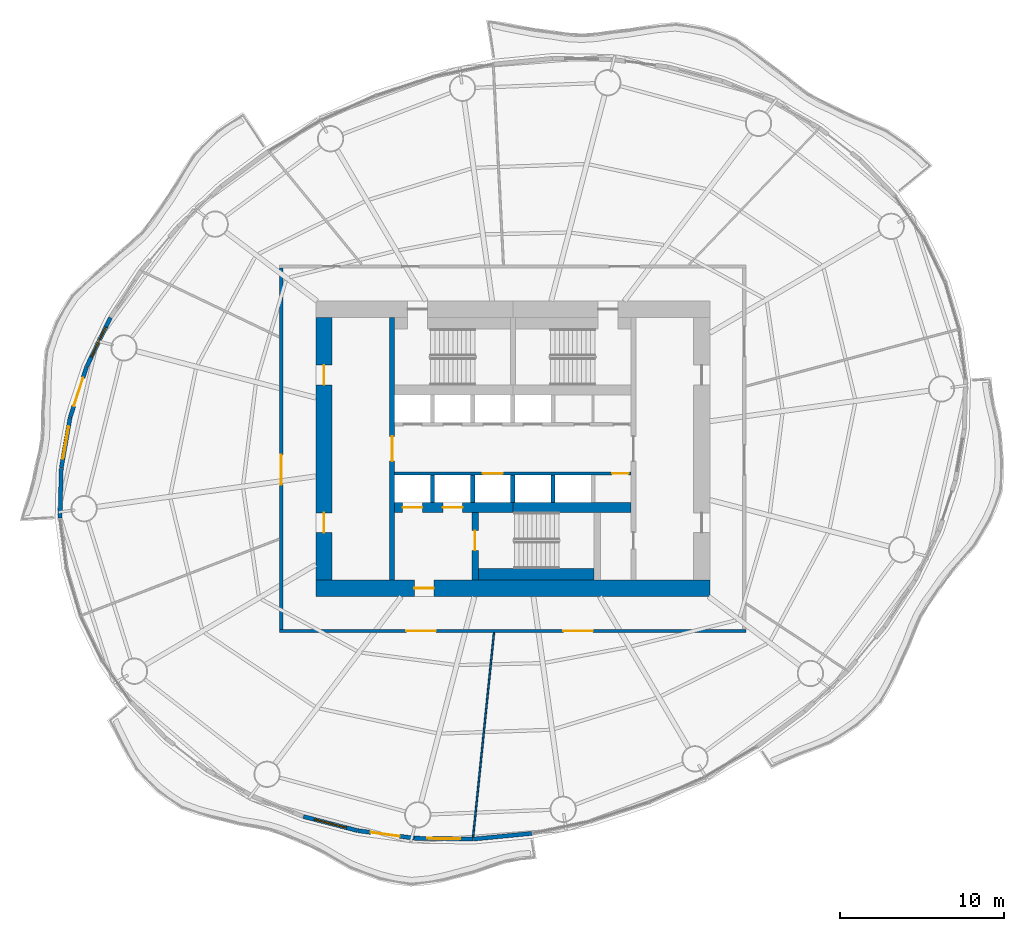
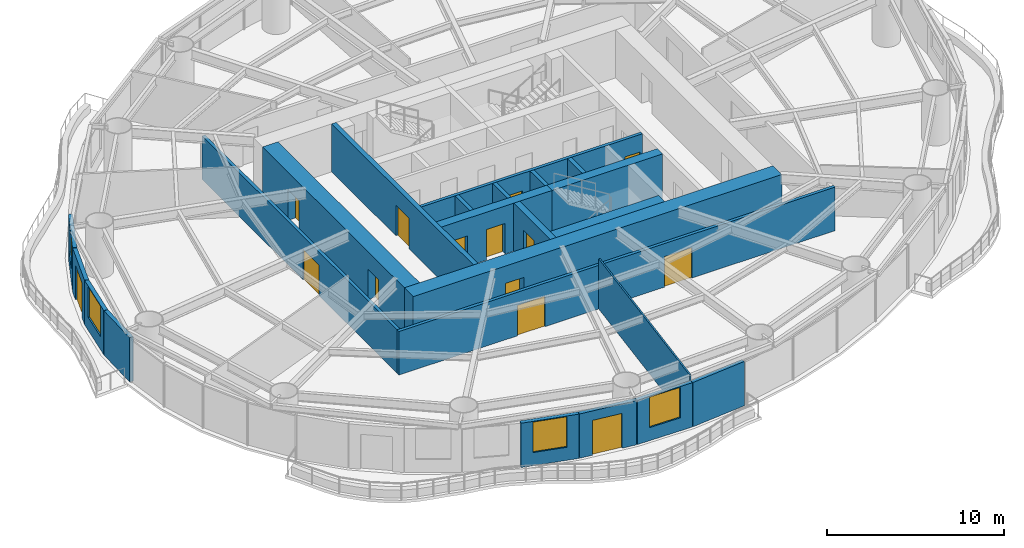
# One storey, part 8 of 14: 23 walls, 14 doors, 4 windows, 18 openings.
"""IFC4 building model written with IfcOpenShell, lengths in metres."""

import ifcopenshell
import ifcopenshell.guid

model = None  # the IFC model being written
_history = None  # IfcOwnerHistory: only IFC2X3 demands one
_inside = {}  # id of a spatial element -> (the spatial element, [elements in it])
_under = {}  # id of a project, library or spatial element -> (it, [spatial elements below it])
_declared = {}  # id of a project -> (the project, [libraries it declares])
_typed = {}  # id of a type object -> (the type object, [elements of that type])
_made_of = {}  # id of a material, layer set ... -> (it, [elements and type objects made of it])


def new_model(schema):
    """Start an empty IFC model of exactly this schema.

    Asked for "IFC4X3", IfcOpenShell would pick the latest addendum, in which some entities
    have other attributes; the version numbers below select the first issue.
    IFC2X3 requires an IfcOwnerHistory on every rooted entity: one is made here for all.
    """
    global model, _history
    if schema == "IFC4X3":
        model = ifcopenshell.file(schema_version=(4, 3, 0, 0))
    else:
        model = ifcopenshell.file(schema=schema)
    _inside.clear()
    _under.clear()
    _declared.clear()
    _typed.clear()
    _made_of.clear()
    _history = None
    if model.schema == "IFC2X3":
        org = make("IfcOrganization", Name="unknown")
        user = make(
            "IfcPersonAndOrganization",
            ThePerson=make("IfcPerson", FamilyName="unknown"),
            TheOrganization=org,
        )
        app = make(
            "IfcApplication",
            ApplicationDeveloper=org,
            Version="unknown",
            ApplicationFullName="unknown",
            ApplicationIdentifier="unknown",
        )
        _history = make(
            "IfcOwnerHistory",
            OwningUser=user,
            OwningApplication=app,
            ChangeAction="ADDED",
            CreationDate=0,
        )
    return model


def make(cls, **values):
    """One entity of the class cls with the attributes given. An attribute that is None is left unset."""
    return model.create_entity(
        cls, **{name: value for name, value in values.items() if value is not None}
    )


def rooted(cls, **values):
    """An entity with a GlobalId (a new one), such as an element, a storey or a relation."""
    return make(cls, GlobalId=ifcopenshell.guid.new(), OwnerHistory=_history, **values)


def si_unit(unit_type, name, prefix=None):
    """IfcSIUnit, for example si_unit("LENGTHUNIT", "METRE", prefix="MILLI")."""
    return make("IfcSIUnit", UnitType=unit_type, Prefix=prefix, Name=name)


def assignment(units):
    """IfcUnitAssignment: the units of a project."""
    return None if units is None else make("IfcUnitAssignment", Units=units)


def point(xyz):
    """IfcCartesianPoint."""
    return None if xyz is None else make("IfcCartesianPoint", Coordinates=xyz)


def direction(xyz):
    """IfcDirection."""
    return None if xyz is None else make("IfcDirection", DirectionRatios=xyz)


def frame(location, z_axis=None, x_axis=None):
    """IfcAxis2Placement3D, a coordinate frame: its origin and axes. An axis left out is left unset."""
    return make(
        "IfcAxis2Placement3D",
        Location=point(location),
        Axis=direction(z_axis),
        RefDirection=direction(x_axis),
    )


def frame_2d(location, x_axis=None):
    """IfcAxis2Placement2D, a coordinate frame in the plane: its origin and x axis."""
    return make(
        "IfcAxis2Placement2D", Location=point(location), RefDirection=direction(x_axis)
    )


def origin():
    """The frame at (0, 0, 0) with its axes left unset."""
    return frame((0.0, 0.0, 0.0))


def place(relative_to, where):
    """IfcLocalPlacement: puts the frame where relative to a parent placement (None: the world)."""
    return make(
        "IfcLocalPlacement", PlacementRelTo=relative_to, RelativePlacement=where
    )


def context(
    kind, dimensions, precision=None, world=None, true_north=None, identifier=None
):
    """IfcGeometricRepresentationContext, for example the 3D "Model" context."""
    return make(
        "IfcGeometricRepresentationContext",
        ContextIdentifier=identifier,
        ContextType=kind,
        CoordinateSpaceDimension=dimensions,
        Precision=precision,
        WorldCoordinateSystem=world,
        TrueNorth=true_north,
    )


def subcontext(parent, identifier, kind, view, scale=None):
    """IfcGeometricRepresentationSubContext, for example "Body" below "Model"."""
    return make(
        "IfcGeometricRepresentationSubContext",
        ContextIdentifier=identifier,
        ContextType=kind,
        ParentContext=parent,
        TargetScale=scale,
        TargetView=view,
    )


def project(units=None, contexts=None):
    """IfcProject with its units and contexts."""
    return rooted(
        "IfcProject",
        Name="project",
        RepresentationContexts=contexts,
        UnitsInContext=assignment(units),
    )


def spatial(cls, under=None, at=None, **own):
    """A site, building, storey or space (cls), placed at a placement, below another one or the project."""
    s = rooted(cls, ObjectPlacement=at, **own)
    if under is not None:
        _under.setdefault(under.id(), (under, []))[1].append(s)
    return s


def profile(cls, at=None, kind="AREA", **sizes):
    """A parametric profile (cls). Its sizes go by their IFC names, for example OverallWidth=200.0."""
    return make(cls, ProfileType=kind, Position=at, **sizes)


def rectangle(**sizes):
    """IfcRectangleProfileDef."""
    return profile("IfcRectangleProfileDef", **sizes)


def extrude(swept, where, along, depth):
    """IfcExtrudedAreaSolid: the profile swept, set in the frame where, extruded along a direction by depth."""
    return make(
        "IfcExtrudedAreaSolid",
        SweptArea=swept,
        Position=where,
        ExtrudedDirection=direction(along),
        Depth=depth,
    )


def shape(context_of_items, identifier, shape_type, items):
    """IfcShapeRepresentation: the items that make up one representation, for example the "Body"."""
    return make(
        "IfcShapeRepresentation",
        ContextOfItems=context_of_items,
        RepresentationIdentifier=identifier,
        RepresentationType=shape_type,
        Items=items,
    )


def material(Name=None, Category=None):
    """IfcMaterial."""
    return make("IfcMaterial", Name=Name, Category=Category)


def layer(
    of_material, thickness, ventilated=None, Name=None, Category=None, Priority=None
):
    """IfcMaterialLayer: one layer of a wall or slab, of a material (None: an air gap)."""
    return make(
        "IfcMaterialLayer",
        Material=of_material,
        LayerThickness=thickness,
        IsVentilated=ventilated,
        Name=Name,
        Category=Category,
        Priority=Priority,
    )


def layer_set(layers, Name=None):
    """IfcMaterialLayerSet."""
    return make("IfcMaterialLayerSet", MaterialLayers=layers, LayerSetName=Name)


def made_of(thing, what):
    """Note that an element or type object is made of a material, layer set ...; save() writes the relation."""
    if what is not None:
        _made_of.setdefault(what.id(), (what, []))[1].append(thing)
    return thing


def type_object(cls, material=None, **own):
    """A type object (cls), such as IfcWallType, which elements share."""
    return made_of(rooted(cls, **own), material)


def element(
    cls,
    number,
    at=None,
    inside=None,
    cuts=None,
    type_object=None,
    material=None,
    context=None,
    identifier="Body",
    shape_type=None,
    held_by="IfcProductDefinitionShape",
    body=None,
    shapes=None,
    **own,
):
    """One element of the class cls, such as IfcWall. Its Tag is "e" and its number.

    at: its placement. inside: the storey or other place that contains it. cuts: it is an
    opening in that element (IfcRelVoidsElement). A single representation is given by context,
    identifier, shape_type and body (its items); several are given by shapes. held_by: the class
    of the entity that holds the representations. save() writes the other relations.
    """
    e = rooted(cls, Tag="e%d" % number, ObjectPlacement=at, **own)
    if body is not None:
        shapes = [shape(context, identifier, shape_type, body)]
    if shapes is not None:
        e.Representation = make(held_by, Representations=shapes)
    if inside is not None:
        _inside.setdefault(inside.id(), (inside, []))[1].append(e)
    if cuts is not None:
        rooted(
            "IfcRelVoidsElement", RelatingBuildingElement=cuts, RelatedOpeningElement=e
        )
    if type_object is not None:
        _typed.setdefault(type_object.id(), (type_object, []))[1].append(e)
    return made_of(e, material)


def fill(opening, filler):
    """IfcRelFillsElement: the door or window that sits in an opening."""
    return rooted(
        "IfcRelFillsElement",
        RelatingOpeningElement=opening,
        RelatedBuildingElement=filler,
    )


def aggregate(whole, parts):
    """IfcRelAggregates: a whole, such as a stair, and the parts it consists of."""
    return rooted("IfcRelAggregates", RelatingObject=whole, RelatedObjects=parts)


def save(model, path):
    """Write the relations noted so far, then the file.

    IfcRelAggregates (storeys below a building ...), IfcRelContainedInSpatialStructure (elements
    in a storey), IfcRelDefinesByType, IfcRelAssociatesMaterial and IfcRelDeclares: one each for
    every whole, place, type object, material and project.
    """
    for whole, parts in _under.values():
        aggregate(whole, parts)
    for where, things in _inside.values():
        rooted(
            "IfcRelContainedInSpatialStructure",
            RelatedElements=things,
            RelatingStructure=where,
        )
    for kind, things in _typed.values():
        rooted("IfcRelDefinesByType", RelatedObjects=things, RelatingType=kind)
    for what, things in _made_of.values():
        rooted("IfcRelAssociatesMaterial", RelatedObjects=things, RelatingMaterial=what)
    for by, libraries in _declared.values():
        rooted("IfcRelDeclares", RelatingContext=by, RelatedDefinitions=libraries)
    model.write(path)


model = new_model("IFC4")

# Units and contexts
model_context = context("Model", 3, precision=1e-05, world=origin(), true_north=direction((0.0, 1.0)))
body_context = subcontext(model_context, "Body", "Model", "MODEL_VIEW")
ifc_project = project(units=[si_unit("LENGTHUNIT", "METRE"), si_unit("AREAUNIT", "SQUARE_METRE"), si_unit("VOLUMEUNIT", "CUBIC_METRE"), si_unit("PLANEANGLEUNIT", "RADIAN"), si_unit("MASSUNIT", "GRAM", prefix="KILO")], contexts=[model_context])

# Site, building, storey
site_placement = place(None, origin())
site = spatial("IfcSite", under=ifc_project, at=site_placement, CompositionType="ELEMENT")
building_placement = place(site_placement, origin())
building = spatial("IfcBuilding", under=site, at=building_placement, Name="Vermilion Reach Broadcast Tower", CompositionType="ELEMENT")
storey_placement = place(building_placement, frame((0.0, 0.0, 117.39990234375)))
storey = spatial("IfcBuildingStorey", under=building, at=storey_placement, Name="L27", CompositionType="ELEMENT", Elevation=117.39990234375)

# Wall, opening, door
ifc_material_1 = material(Name="Concrete C70", Category="concrete")
ifc_layer_1 = layer(ifc_material_1, 0.300048828125)
ifc_layer_set_1 = layer_set([ifc_layer_1], Name="Core inner wall 300 mm Concrete C70")
wall_type_1 = type_object("IfcWallType", Name="Core inner wall 300 mm Concrete C70", PredefinedType="SHEAR", material=ifc_layer_set_1)
wall_1_placement = place(storey_placement, frame((-13.35009765625, 8.0, 0.0), z_axis=(0.0, 0.0, 1.0), x_axis=(0.0, -1.0, 0.0)))
wall_1 = element("IfcWall", 1, at=wall_1_placement, inside=storey, type_object=wall_type_1, Name="L27 core wall ewW", PredefinedType="SHEAR", context=body_context, shape_type="SweptSolid", body=[
    extrude(rectangle(XDim=16.0, YDim=0.300048828125, at=frame_2d((8.0, 0.0))), origin(), (0.0, 0.0, 1.0), 3.300048828125),
])
opening_1_placement = place(wall_1_placement, frame((7.25, 0.0, 0.0)))
opening_1 = element("IfcOpeningElement", 2, at=opening_1_placement, cuts=wall_1, Name="Opening D04", PredefinedType="OPENING", context=body_context, shape_type="SweptSolid", body=[
    extrude(rectangle(XDim=1.5, YDim=2.10009765625, at=frame_2d((0.75, 1.050048828125))), frame((0.0, 0.159912109375, 0.0), z_axis=(0.0, -1.0, 0.0), x_axis=(1.0, 0.0, 0.0)), (0.0, 0.0, 1.0), 0.320068359375),
])
ifc_material_2 = material(Name="Painted steel fire door", Category="steel")
door_type_1 = type_object("IfcDoorType", Name="Lift lobby door 1500 x 2100", OperationType="DOUBLE_DOOR_SINGLE_SWING", PredefinedType="NOTDEFINED", material=ifc_material_2)
door_1_placement = place(opening_1_placement, origin())
door_1 = element("IfcDoor", 3, at=door_1_placement, inside=storey, type_object=door_type_1, Name="L27 band door BW", OperationType="DOUBLE_DOOR_SINGLE_SWING", OverallHeight=2.10009765625, OverallWidth=1.5, PredefinedType="NOTDEFINED", context=body_context, shape_type="SweptSolid", body=[
    extrude(rectangle(XDim=1.5, YDim=2.10009765625, at=frame_2d((0.75, 1.050048828125))), frame((0.0, 0.02490234375, 0.0), z_axis=(0.0, -1.0, 0.0), x_axis=(1.0, 0.0, 0.0)), (0.0, 0.0, 1.0), 0.050048828125),
])
fill(opening_1, door_1)

ifc_material_3 = material(Name="Concrete C70", Category="concrete")
ifc_layer_2 = layer(ifc_material_3, 0.39990234375)
ifc_layer_set_2 = layer_set([ifc_layer_2], Name="Core inner wall 400 mm Concrete C70")
wall_type_2 = type_object("IfcWallType", Name="Core inner wall 400 mm Concrete C70", PredefinedType="SHEAR", material=ifc_layer_set_2)
wall_2_placement = place(storey_placement, frame((-8.300048828125, -3.8798828125, 0.0), z_axis=(0.0, 0.0, 1.0), x_axis=(0.0, -1.0, 0.0)))
wall_2 = element("IfcWall", 4, at=wall_2_placement, inside=storey, type_object=wall_type_2, Name="L27 core wall wa", PredefinedType="SHEAR", context=body_context, shape_type="SweptSolid", body=[
    extrude(rectangle(XDim=4.1201171875, YDim=0.39990234375, at=frame_2d((2.06005859375, 0.0))), origin(), (0.0, 0.0, 1.0), 3.300048828125),
])
opening_2_placement = place(wall_2_placement, frame((1.110107421875, 0.0, 0.0)))
opening_2 = element("IfcOpeningElement", 5, at=opening_2_placement, cuts=wall_2, Name="Opening D01", PredefinedType="OPENING", context=body_context, shape_type="SweptSolid", body=[
    extrude(rectangle(XDim=1.199951171875, YDim=2.10009765625, at=frame_2d((0.60009765625, 1.050048828125))), frame((0.0, 0.2099609375, 0.0), z_axis=(0.0, -1.0, 0.0), x_axis=(1.0, 0.0, 0.0)), (0.0, 0.0, 1.0), 0.419921875),
])
ifc_material_4 = material(Name="Painted steel fire door", Category="steel")
door_type_2 = type_object("IfcDoorType", Name="Stair door 1200 x 2100", OperationType="DOUBLE_DOOR_SINGLE_SWING", PredefinedType="NOTDEFINED", material=ifc_material_4)
door_2_placement = place(opening_2_placement, origin())
door_2 = element("IfcDoor", 6, at=door_2_placement, inside=storey, type_object=door_type_2, Name="L27 stair door ST3", OperationType="DOUBLE_DOOR_SINGLE_SWING", OverallHeight=2.10009765625, OverallWidth=1.199951171875, PredefinedType="NOTDEFINED", context=body_context, shape_type="SweptSolid", body=[
    extrude(rectangle(XDim=1.199951171875, YDim=2.10009765625, at=frame_2d((0.60009765625, 1.050048828125))), frame((0.0, 0.02490234375, 0.0), z_axis=(0.0, -1.0, 0.0), x_axis=(1.0, 0.0, 0.0)), (0.0, 0.0, 1.0), 0.050048828125),
])
fill(opening_2, door_2)

# Wall, openings, doors
ifc_material_5 = material(Name="Concrete C70", Category="concrete")
ifc_layer_3 = layer(ifc_material_5, 0.60009765625)
ifc_layer_set_3 = layer_set([ifc_layer_3], Name="Core inner wall 600 mm Concrete C70")
wall_type_3 = type_object("IfcWallType", Name="Core inner wall 600 mm Concrete C70", PredefinedType="SHEAR", material=ifc_layer_set_3)
wall_3_placement = place(storey_placement, frame((-13.199951171875, -3.580078125, 0.0), z_axis=(0.0, 0.0, 1.0), x_axis=(1.0, 0.0, 0.0)))
wall_3 = element("IfcWall", 7, at=wall_3_placement, inside=storey, type_object=wall_type_3, Name="L27 core wall wisW", PredefinedType="SHEAR", context=body_context, shape_type="SweptSolid", body=[
    extrude(rectangle(XDim=7.199951171875, YDim=0.60009765625, at=frame_2d((3.60009765625, 0.0))), origin(), (0.0, 0.0, 1.0), 3.300048828125),
])
opening_3_placement = place(wall_3_placement, frame((0.495849609375, 0.0, 0.0)))
opening_3 = element("IfcOpeningElement", 8, at=opening_3_placement, cuts=wall_3, Name="Opening LD1", PredefinedType="OPENING", context=body_context, shape_type="SweptSolid", body=[
    extrude(rectangle(XDim=1.199951171875, YDim=2.10009765625, at=frame_2d((0.60009765625, 1.050048828125))), frame((0.0, 0.31005859375, 0.0), z_axis=(0.0, -1.0, 0.0), x_axis=(1.0, 0.0, 0.0)), (0.0, 0.0, 1.0), 0.6201171875),
])
opening_4_placement = place(wall_3_placement, frame((2.9375, 0.0, 0.0)))
opening_4 = element("IfcOpeningElement", 9, at=opening_4_placement, cuts=wall_3, Name="Opening LD1", PredefinedType="OPENING", context=body_context, shape_type="SweptSolid", body=[
    extrude(rectangle(XDim=1.199951171875, YDim=2.10009765625, at=frame_2d((0.60009765625, 1.050048828125))), frame((0.0, 0.31005859375, 0.0), z_axis=(0.0, -1.0, 0.0), x_axis=(1.0, 0.0, 0.0)), (0.0, 0.0, 1.0), 0.6201171875),
])
ifc_material_6 = material(Name="Stainless steel", Category="steel")
door_type_3 = type_object("IfcDoorType", Name="Landing door 1200 x 2100", OperationType="DOUBLE_DOOR_SLIDING", PredefinedType="NOTDEFINED", material=ifc_material_6)
door_3_placement = place(opening_3_placement, origin())
door_3 = element("IfcDoor", 10, at=door_3_placement, inside=storey, type_object=door_type_3, Name="L27 landing door FF1", OperationType="DOUBLE_DOOR_SLIDING", OverallHeight=2.10009765625, OverallWidth=1.199951171875, PredefinedType="NOTDEFINED", context=body_context, shape_type="SweptSolid", body=[
    extrude(rectangle(XDim=1.199951171875, YDim=2.10009765625, at=frame_2d((0.60009765625, 1.050048828125))), frame((0.0, 0.02490234375, 0.0), z_axis=(0.0, -1.0, 0.0), x_axis=(1.0, 0.0, 0.0)), (0.0, 0.0, 1.0), 0.050048828125),
])
fill(opening_3, door_3)
door_4_placement = place(opening_4_placement, origin())
door_4 = element("IfcDoor", 11, at=door_4_placement, inside=storey, type_object=door_type_3, Name="L27 landing door FF2", OperationType="DOUBLE_DOOR_SLIDING", OverallHeight=2.10009765625, OverallWidth=1.199951171875, PredefinedType="NOTDEFINED", context=body_context, shape_type="SweptSolid", body=[
    extrude(rectangle(XDim=1.199951171875, YDim=2.10009765625, at=frame_2d((0.60009765625, 1.050048828125))), frame((0.0, 0.02490234375, 0.0), z_axis=(0.0, -1.0, 0.0), x_axis=(1.0, 0.0, 0.0)), (0.0, 0.0, 1.0), 0.050048828125),
])
fill(opening_4, door_4)

# Wall
wall_4_placement = place(storey_placement, frame((-6.0, -3.580078125, 0.0), z_axis=(0.0, 0.0, 1.0), x_axis=(1.0, 0.0, 0.0)))
element("IfcWall", 12, at=wall_4_placement, inside=storey, type_object=wall_type_3, Name="L27 core wall wisE", PredefinedType="SHEAR", context=body_context, shape_type="SweptSolid", body=[
    extrude(rectangle(XDim=7.199951171875, YDim=0.60009765625, at=frame_2d((3.60009765625, 0.0))), origin(), (0.0, 0.0, 1.0), 3.300048828125),
])

# Wall, opening, door
ifc_material_7 = material(Name="Concrete C70", Category="concrete")
ifc_layer_4 = layer(ifc_material_7, 1.0)
ifc_layer_set_4 = layer_set([ifc_layer_4], Name="Core outer wall 1000 mm Concrete C70")
wall_type_4 = type_object("IfcWallType", Name="Core outer wall 1000 mm Concrete C70", PredefinedType="SHEAR", material=ifc_layer_set_4)
wall_5_placement = place(storey_placement, frame((-18.0, -8.5, 0.0), z_axis=(0.0, 0.0, 1.0), x_axis=(1.0, 0.0, 0.0)))
wall_5 = element("IfcWall", 13, at=wall_5_placement, inside=storey, type_object=wall_type_4, Name="L27 core wall os", PredefinedType="SHEAR", context=body_context, shape_type="SweptSolid", body=[
    extrude(rectangle(XDim=24.0, YDim=1.0, at=frame_2d((12.0, 0.0))), origin(), (0.0, 0.0, 1.0), 3.300048828125),
])
opening_5_placement = place(wall_5_placement, frame((6.0, 0.0, 0.0)))
opening_5 = element("IfcOpeningElement", 14, at=opening_5_placement, cuts=wall_5, Name="Opening D02", PredefinedType="OPENING", context=body_context, shape_type="SweptSolid", body=[
    extrude(rectangle(XDim=1.199951171875, YDim=2.10009765625, at=frame_2d((0.60009765625, 1.050048828125))), frame((0.0, 0.510009765625, 0.0), z_axis=(0.0, -1.0, 0.0), x_axis=(1.0, 0.0, 0.0)), (0.0, 0.0, 1.0), 1.02001953125),
])
ifc_material_8 = material(Name="Painted steel fire door", Category="steel")
door_type_4 = type_object("IfcDoorType", Name="Firefighting lobby door 1200 x 2100", OperationType="DOUBLE_DOOR_SINGLE_SWING", PredefinedType="NOTDEFINED", material=ifc_material_8)
door_5_placement = place(opening_5_placement, origin())
door_5 = element("IfcDoor", 15, at=door_5_placement, inside=storey, type_object=door_type_4, Name="L27 ffdoor door FFL", OperationType="DOUBLE_DOOR_SINGLE_SWING", OverallHeight=2.10009765625, OverallWidth=1.199951171875, PredefinedType="NOTDEFINED", context=body_context, shape_type="SweptSolid", body=[
    extrude(rectangle(XDim=1.199951171875, YDim=2.10009765625, at=frame_2d((0.60009765625, 1.050048828125))), frame((0.0, 0.02490234375, 0.0), z_axis=(0.0, -1.0, 0.0), x_axis=(1.0, 0.0, 0.0)), (0.0, 0.0, 1.0), 0.050048828125),
])
fill(opening_5, door_5)

# Wall, openings, doors
wall_6_placement = place(storey_placement, frame((-17.5, 8.0, 0.0), z_axis=(0.0, 0.0, 1.0), x_axis=(0.0, -1.0, 0.0)))
wall_6 = element("IfcWall", 16, at=wall_6_placement, inside=storey, type_object=wall_type_4, Name="L27 core wall ow", PredefinedType="SHEAR", context=body_context, shape_type="SweptSolid", body=[
    extrude(rectangle(XDim=16.0, YDim=1.0, at=frame_2d((8.0, 0.0))), origin(), (0.0, 0.0, 1.0), 3.300048828125),
])
opening_6_placement = place(wall_6_placement, frame((11.89990234375, 0.0, 0.0)))
opening_6 = element("IfcOpeningElement", 17, at=opening_6_placement, cuts=wall_6, Name="Opening D03", PredefinedType="OPENING", context=body_context, shape_type="SweptSolid", body=[
    extrude(rectangle(XDim=1.199951171875, YDim=2.10009765625, at=frame_2d((0.60009765625, 1.050048828125))), frame((0.0, 0.510009765625, 0.0), z_axis=(0.0, -1.0, 0.0), x_axis=(1.0, 0.0, 0.0)), (0.0, 0.0, 1.0), 1.02001953125),
])
opening_7_placement = place(wall_6_placement, frame((2.89990234375, 0.0, 0.0)))
opening_7 = element("IfcOpeningElement", 18, at=opening_7_placement, cuts=wall_6, Name="Opening D03", PredefinedType="OPENING", context=body_context, shape_type="SweptSolid", body=[
    extrude(rectangle(XDim=1.199951171875, YDim=2.10009765625, at=frame_2d((0.60009765625, 1.050048828125))), frame((0.0, 0.510009765625, 0.0), z_axis=(0.0, -1.0, 0.0), x_axis=(1.0, 0.0, 0.0)), (0.0, 0.0, 1.0), 1.02001953125),
])
ifc_material_9 = material(Name="Painted steel fire door", Category="steel")
door_type_5 = type_object("IfcDoorType", Name="Core lobby door 1200 x 2100", OperationType="DOUBLE_DOOR_SINGLE_SWING", PredefinedType="NOTDEFINED", material=ifc_material_9)
door_6_placement = place(opening_6_placement, origin())
door_6 = element("IfcDoor", 19, at=door_6_placement, inside=storey, type_object=door_type_5, Name="L27 slot door W0", OperationType="DOUBLE_DOOR_SINGLE_SWING", OverallHeight=2.10009765625, OverallWidth=1.199951171875, PredefinedType="NOTDEFINED", context=body_context, shape_type="SweptSolid", body=[
    extrude(rectangle(XDim=1.199951171875, YDim=2.10009765625, at=frame_2d((0.60009765625, 1.050048828125))), frame((0.0, 0.02490234375, 0.0), z_axis=(0.0, -1.0, 0.0), x_axis=(1.0, 0.0, 0.0)), (0.0, 0.0, 1.0), 0.050048828125),
])
fill(opening_6, door_6)
door_7_placement = place(opening_7_placement, origin())
door_7 = element("IfcDoor", 20, at=door_7_placement, inside=storey, type_object=door_type_5, Name="L27 slot door W1", OperationType="DOUBLE_DOOR_SINGLE_SWING", OverallHeight=2.10009765625, OverallWidth=1.199951171875, PredefinedType="NOTDEFINED", context=body_context, shape_type="SweptSolid", body=[
    extrude(rectangle(XDim=1.199951171875, YDim=2.10009765625, at=frame_2d((0.60009765625, 1.050048828125))), frame((0.0, 0.02490234375, 0.0), z_axis=(0.0, -1.0, 0.0), x_axis=(1.0, 0.0, 0.0)), (0.0, 0.0, 1.0), 0.050048828125),
])
fill(opening_7, door_7)

ifc_material_10 = material(Name="Concrete C50", Category="concrete")
ifc_layer_5 = layer(ifc_material_10, 0.199951171875)
ifc_layer_set_5 = layer_set([ifc_layer_5], Name="Core shaft wall 200 mm Concrete C50")
wall_type_5 = type_object("IfcWallType", Name="Core shaft wall 200 mm Concrete C50", PredefinedType="SHEAR", material=ifc_layer_set_5)
wall_7_placement = place(storey_placement, frame((1.199951171875, -1.5, 0.0), z_axis=(0.0, 0.0, 1.0), x_axis=(-1.0, 0.0, 0.0)))
wall_7 = element("IfcWall", 21, at=wall_7_placement, inside=storey, type_object=wall_type_5, Name="L27 core wall fs", PredefinedType="SHEAR", context=body_context, shape_type="SweptSolid", body=[
    extrude(rectangle(XDim=14.39990234375, YDim=0.199951171875, at=frame_2d((7.199951171875, 0.0))), origin(), (0.0, 0.0, 1.0), 3.300048828125),
])
opening_8_placement = place(wall_7_placement, frame((7.82080078125, 0.0, 0.0)))
opening_8 = element("IfcOpeningElement", 22, at=opening_8_placement, cuts=wall_7, Name="Opening LD1", PredefinedType="OPENING", context=body_context, shape_type="SweptSolid", body=[
    extrude(rectangle(XDim=1.199951171875, YDim=2.10009765625, at=frame_2d((0.60009765625, 1.050048828125))), frame((0.0, 0.10986328125, 0.0), z_axis=(0.0, -1.0, 0.0), x_axis=(1.0, 0.0, 0.0)), (0.0, 0.0, 1.0), 0.219970703125),
])
opening_9_placement = place(wall_7_placement, frame((0.14990234375, 0.0, 0.0)))
opening_9 = element("IfcOpeningElement", 23, at=opening_9_placement, cuts=wall_7, Name="Opening D07", PredefinedType="OPENING", context=body_context, shape_type="SweptSolid", body=[
    extrude(rectangle(XDim=1.0, YDim=2.10009765625, at=frame_2d((0.5, 1.050048828125))), frame((0.0, 0.10986328125, 0.0), z_axis=(0.0, -1.0, 0.0), x_axis=(1.0, 0.0, 0.0)), (0.0, 0.0, 1.0), 0.219970703125),
])
ifc_material_11 = material(Name="Timber door", Category="wood")
door_type_6 = type_object("IfcDoorType", Name="Accessible WC door 1000 x 2100", OperationType="NOTDEFINED", PredefinedType="NOTDEFINED", material=ifc_material_11)
door_8_placement = place(opening_9_placement, origin())
door_8 = element("IfcDoor", 24, at=door_8_placement, inside=storey, type_object=door_type_6, Name="L27 door Accessible WC", OperationType="SINGLE_SWING_LEFT", OverallHeight=2.10009765625, OverallWidth=1.0, PredefinedType="NOTDEFINED", context=body_context, shape_type="SweptSolid", body=[
    extrude(rectangle(XDim=1.0, YDim=2.10009765625, at=frame_2d((0.5, 1.050048828125))), frame((0.0, 0.02490234375, 0.0), z_axis=(0.0, -1.0, 0.0), x_axis=(1.0, 0.0, 0.0)), (0.0, 0.0, 1.0), 0.050048828125),
])
fill(opening_9, door_8)
door_9_placement = place(opening_8_placement, origin())
door_9 = element("IfcDoor", 25, at=door_9_placement, inside=storey, type_object=door_type_3, Name="L27 landing door SV1", OperationType="DOUBLE_DOOR_SLIDING", OverallHeight=2.10009765625, OverallWidth=1.199951171875, PredefinedType="NOTDEFINED", context=body_context, shape_type="SweptSolid", body=[
    extrude(rectangle(XDim=1.199951171875, YDim=2.10009765625, at=frame_2d((0.60009765625, 1.050048828125))), frame((0.0, 0.02490234375, 0.0), z_axis=(0.0, -1.0, 0.0), x_axis=(1.0, 0.0, 0.0)), (0.0, 0.0, 1.0), 0.050048828125),
])
fill(opening_8, door_9)

# Walls
ifc_material_12 = material(Name="Concrete C50", Category="concrete")
ifc_layer_6 = layer(ifc_material_12, 0.25)
ifc_layer_set_6 = layer_set([ifc_layer_6], Name="Core shaft wall 250 mm Concrete C50")
wall_type_6 = type_object("IfcWallType", Name="Core shaft wall 250 mm Concrete C50", PredefinedType="SHEAR", material=ifc_layer_set_6)
for number, where, z_axis, x_axis, name in (
    (26, (-10.88330078125, -1.60009765625, 0.0), (0.0, 0.0, 1.0), (0.0, -1.0, 0.0), "L27 core wall psS0"),
    (27, (-8.441650390625, -1.60009765625, 0.0), (0.0, 0.0, 1.0), (0.0, -1.0, 0.0), "L27 core wall psS1"),
    (28, (-6.0, -1.60009765625, 0.0), (0.0, 0.0, 1.0), (0.0, -1.0, 0.0), "L27 core wall psS2"),
    (29, (-3.558349609375, -1.60009765625, 0.0), (0.0, 0.0, 1.0), (0.0, -1.0, 0.0), "L27 core wall psS3"),
):
    element("IfcWall", number, at=place(storey_placement, frame(where, z_axis=z_axis, x_axis=x_axis)), inside=storey, type_object=wall_type_6, Name=name, PredefinedType="SHEAR", context=body_context, shape_type="SweptSolid", body=[
        extrude(rectangle(XDim=1.679931640625, YDim=0.25, at=frame_2d((0.83984375, 0.0))), origin(), (0.0, 0.0, 1.0), 3.300048828125),
    ])
ifc_material_13 = material(Name="Concrete C70", Category="concrete")
ifc_layer_7 = layer(ifc_material_13, 0.699951171875)
ifc_layer_set_7 = layer_set([ifc_layer_7], Name="Core stair wall 700 mm Concrete C70")
wall_type_7 = type_object("IfcWallType", Name="Core stair wall 700 mm Concrete C70", PredefinedType="SHEAR", material=ifc_layer_set_7)
wall_8_placement = place(storey_placement, frame((-8.10009765625, -7.64990234375, 0.0), z_axis=(0.0, 0.0, 1.0), x_axis=(1.0, 0.0, 0.0)))
element("IfcWall", 30, at=wall_8_placement, inside=storey, type_object=wall_type_7, Name="L27 core wall l3", PredefinedType="SHEAR", context=body_context, shape_type="SweptSolid", body=[
    extrude(rectangle(XDim=7.050048828125, YDim=0.699951171875, at=frame_2d((3.52490234375, 0.0))), origin(), (0.0, 0.0, 1.0), 3.300048828125),
])
ifc_material_14 = material(Name="Plasterboard on steel stud", Category="steel")
ifc_layer_8 = layer(ifc_material_14, 0.10009765625)
ifc_layer_set_8 = layer_set([ifc_layer_8], Name="Partition 100 steel stud")
wall_type_8 = type_object("IfcWallType", Name="Partition 100 steel stud", PredefinedType="PARTITIONING", material=ifc_layer_set_8)
wall_9_placement = place(storey_placement, frame((-8.418212890625, -23.64501953125, 0.0), z_axis=(0.0, 0.0, 1.0), x_axis=(0.101738063261, 0.994811221531, 0.0)))
element("IfcWall", 31, at=wall_9_placement, inside=storey, type_object=wall_type_8, Name="Partition 27.06", PredefinedType="PARTITIONING", context=body_context, shape_type="SweptSolid", body=[
    extrude(rectangle(XDim=12.5048828125, YDim=0.10009765625, at=frame_2d((6.25244140625, 0.0))), origin(), (0.0, 0.0, 1.0), 3.4501953125),
])

# Wall, opening, window
ifc_material_15 = material(Name="Terracotta rainscreen cladding", Category="masonry")
ifc_layer_9 = layer(ifc_material_15, 0.25)
ifc_layer_set_9 = layer_set([ifc_layer_9], Name="Terracotta rainscreen wall 250")
wall_type_9 = type_object("IfcWallType", Name="Terracotta rainscreen wall 250", PredefinedType="SOLIDWALL", material=ifc_layer_set_9)
wall_10_placement = place(storey_placement, frame((-30.506591796875, 7.98876953125, 0.0), z_axis=(0.0, 0.0, 1.0), x_axis=(-0.435582187372, -0.900148964363, 0.0)))
wall_10 = element("IfcWall", 32, at=wall_10_placement, inside=storey, type_object=wall_type_9, Name="External wall L27 18", PredefinedType="SOLIDWALL", context=body_context, shape_type="SweptSolid", body=[
    extrude(rectangle(XDim=3.3017578125, YDim=0.25, at=frame_2d((1.65087890625, 0.0))), origin(), (0.0, 0.0, 1.0), 3.050048828125),
])
opening_10_placement = place(wall_10_placement, frame((0.65087890625, 0.0, 0.89990234375)))
opening_10 = element("IfcOpeningElement", 33, at=opening_10_placement, cuts=wall_10, Name="Opening W03", PredefinedType="OPENING", context=body_context, shape_type="SweptSolid", body=[
    extrude(rectangle(XDim=2.0, YDim=2.10009765625, at=frame_2d((1.0, 1.050048828125))), frame((0.0, 0.135009765625, 0.0), z_axis=(0.0, -1.0, 0.0), x_axis=(1.0, 0.0, 0.0)), (0.0, 0.0, 1.0), 0.27001953125),
])
ifc_material_16 = material(Name="Low-e laminated clear glass in aluminium frame", Category="aluminium")
window_type = type_object("IfcWindowType", Name="Punched window 2000 x 2100 sill 900", PartitioningType="SINGLE_PANEL", PredefinedType="WINDOW", material=ifc_material_16)
window_1_placement = place(opening_10_placement, origin())
window_1 = element("IfcWindow", 34, at=window_1_placement, inside=storey, type_object=window_type, Name="Window L27 18", OverallHeight=2.10009765625, OverallWidth=2.0, PartitioningType="SINGLE_PANEL", PredefinedType="WINDOW", context=body_context, shape_type="SweptSolid", body=[
    extrude(rectangle(XDim=2.0, YDim=2.10009765625, at=frame_2d((1.0, 1.050048828125))), frame((0.0, 0.030029296875, 0.0), z_axis=(0.0, -1.0, 0.0), x_axis=(1.0, 0.0, 0.0)), (0.0, 0.0, 1.0), 0.06005859375),
])
fill(opening_10, window_1)

# Wall, opening, door
wall_11_placement = place(storey_placement, frame((-31.9541015625, 4.993408203125, 0.0), z_axis=(0.0, 0.0, 1.0), x_axis=(-0.310270013997, -0.950648472578, 0.0)))
wall_11 = element("IfcWall", 35, at=wall_11_placement, inside=storey, type_object=wall_type_9, Name="External wall L27 19", PredefinedType="SOLIDWALL", context=body_context, shape_type="SweptSolid", body=[
    extrude(rectangle(XDim=3.2119140625, YDim=0.25, at=frame_2d((1.60595703125, 0.0))), origin(), (0.0, 0.0, 1.0), 3.050048828125),
])
opening_11_placement = place(wall_11_placement, frame((0.7060546875, 0.0, 0.0)))
opening_11 = element("IfcOpeningElement", 36, at=opening_11_placement, cuts=wall_11, Name="Opening D70", PredefinedType="OPENING", context=body_context, shape_type="SweptSolid", body=[
    extrude(rectangle(XDim=1.800048828125, YDim=2.39990234375, at=frame_2d((0.89990234375, 1.199951171875))), frame((0.0, 0.135009765625, 0.0), z_axis=(0.0, -1.0, 0.0), x_axis=(1.0, 0.0, 0.0)), (0.0, 0.0, 1.0), 0.27001953125),
])
ifc_material_17 = material(Name="Low-e laminated clear glass in aluminium frame", Category="aluminium")
door_type_7 = type_object("IfcDoorType", Name="Balcony sliding door 1800 x 2400", OperationType="DOUBLE_DOOR_SLIDING", PredefinedType="DOOR", material=ifc_material_17)
door_10_placement = place(opening_11_placement, origin())
door_10 = element("IfcDoor", 37, at=door_10_placement, inside=storey, type_object=door_type_7, Name="Balcony door L27 run 05", OperationType="DOUBLE_DOOR_SLIDING", OverallHeight=2.39990234375, OverallWidth=1.800048828125, PredefinedType="DOOR", context=body_context, shape_type="SweptSolid", body=[
    extrude(rectangle(XDim=1.800048828125, YDim=2.39990234375, at=frame_2d((0.89990234375, 1.199951171875))), frame((0.0, 0.02490234375, 0.0), z_axis=(0.0, -1.0, 0.0), x_axis=(1.0, 0.0, 0.0)), (0.0, 0.0, 1.0), 0.050048828125),
])
fill(opening_11, door_10)

# Wall, opening, window
wall_12_placement = place(storey_placement, frame((-32.95703125, 1.914794921875, 0.0), z_axis=(0.0, 0.0, 1.0), x_axis=(-0.172262996508, -0.985050993621, 0.0)))
wall_12 = element("IfcWall", 38, at=wall_12_placement, inside=storey, type_object=wall_type_9, Name="External wall L27 20", PredefinedType="SOLIDWALL", context=body_context, shape_type="SweptSolid", body=[
    extrude(rectangle(XDim=3.12939453125, YDim=0.25, at=frame_2d((1.564697265625, 0.0))), origin(), (0.0, 0.0, 1.0), 3.050048828125),
])
opening_12_placement = place(wall_12_placement, frame((0.564697265625, 0.0, 0.89990234375)))
opening_12 = element("IfcOpeningElement", 39, at=opening_12_placement, cuts=wall_12, Name="Opening W03", PredefinedType="OPENING", context=body_context, shape_type="SweptSolid", body=[
    extrude(rectangle(XDim=2.0, YDim=2.10009765625, at=frame_2d((1.0, 1.050048828125))), frame((0.0, 0.135009765625, 0.0), z_axis=(0.0, -1.0, 0.0), x_axis=(1.0, 0.0, 0.0)), (0.0, 0.0, 1.0), 0.27001953125),
])
window_2_placement = place(opening_12_placement, origin())
window_2 = element("IfcWindow", 40, at=window_2_placement, inside=storey, type_object=window_type, Name="Window L27 20", OverallHeight=2.10009765625, OverallWidth=2.0, PartitioningType="SINGLE_PANEL", PredefinedType="WINDOW", context=body_context, shape_type="SweptSolid", body=[
    extrude(rectangle(XDim=2.0, YDim=2.10009765625, at=frame_2d((1.0, 1.050048828125))), frame((0.0, 0.030029296875, 0.0), z_axis=(0.0, -1.0, 0.0), x_axis=(1.0, 0.0, 0.0)), (0.0, 0.0, 1.0), 0.06005859375),
])
fill(opening_12, window_2)

# Wall
wall_13_placement = place(storey_placement, frame((-33.498779296875, -1.1943359375, 0.0), z_axis=(0.0, 0.0, 1.0), x_axis=(-0.024099130641, -0.999709573777, 0.0)))
element("IfcWall", 41, at=wall_13_placement, inside=storey, type_object=wall_type_9, Name="External wall L27 21", PredefinedType="SOLIDWALL", context=body_context, shape_type="SweptSolid", body=[
    extrude(rectangle(XDim=3.01904296875, YDim=0.25, at=frame_2d((1.509521484375, 0.0))), origin(), (0.0, 0.0, 1.0), 3.050048828125),
])

# Wall, opening, window
wall_14_placement = place(storey_placement, frame((-18.75, -22.396240234375, 0.0), z_axis=(0.0, 0.0, 1.0), x_axis=(0.967791300319, -0.251753846101, 0.0)))
wall_14 = element("IfcWall", 42, at=wall_14_placement, inside=storey, type_object=wall_type_9, Name="External wall L27 30", PredefinedType="SOLIDWALL", context=body_context, shape_type="SweptSolid", body=[
    extrude(rectangle(XDim=3.392333984375, YDim=0.25, at=frame_2d((1.6962890625, 0.0))), origin(), (0.0, 0.0, 1.0), 3.050048828125),
])
opening_13_placement = place(wall_14_placement, frame((0.696044921875, 0.0, 0.89990234375)))
opening_13 = element("IfcOpeningElement", 43, at=opening_13_placement, cuts=wall_14, Name="Opening W03", PredefinedType="OPENING", context=body_context, shape_type="SweptSolid", body=[
    extrude(rectangle(XDim=2.0, YDim=2.10009765625, at=frame_2d((1.0, 1.050048828125))), frame((0.0, 0.135009765625, 0.0), z_axis=(0.0, -1.0, 0.0), x_axis=(1.0, 0.0, 0.0)), (0.0, 0.0, 1.0), 0.27001953125),
])
window_3_placement = place(opening_13_placement, origin())
window_3 = element("IfcWindow", 44, at=window_3_placement, inside=storey, type_object=window_type, Name="Window L27 30", OverallHeight=2.10009765625, OverallWidth=2.0, PartitioningType="SINGLE_PANEL", PredefinedType="WINDOW", context=body_context, shape_type="SweptSolid", body=[
    extrude(rectangle(XDim=2.0, YDim=2.10009765625, at=frame_2d((1.0, 1.050048828125))), frame((0.0, 0.030029296875, 0.0), z_axis=(0.0, -1.0, 0.0), x_axis=(1.0, 0.0, 0.0)), (0.0, 0.0, 1.0), 0.06005859375),
])
fill(opening_13, window_3)

# Wall, opening, door
wall_15_placement = place(storey_placement, frame((-15.4443359375, -23.254638671875, 0.0), z_axis=(0.0, 0.0, 1.0), x_axis=(0.991259146592, -0.131929163936, 0.0)))
wall_15 = element("IfcWall", 45, at=wall_15_placement, inside=storey, type_object=wall_type_9, Name="External wall L27 31", PredefinedType="SOLIDWALL", context=body_context, shape_type="SweptSolid", body=[
    extrude(rectangle(XDim=3.47705078125, YDim=0.25, at=frame_2d((1.738525390625, 0.0))), origin(), (0.0, 0.0, 1.0), 3.050048828125),
])
opening_14_placement = place(wall_15_placement, frame((0.7890625, 0.0, 0.0)))
opening_14 = element("IfcOpeningElement", 46, at=opening_14_placement, cuts=wall_15, Name="Opening D70", PredefinedType="OPENING", context=body_context, shape_type="SweptSolid", body=[
    extrude(rectangle(XDim=1.800048828125, YDim=2.39990234375, at=frame_2d((0.89990234375, 1.199951171875))), frame((0.0, 0.135009765625, 0.0), z_axis=(0.0, -1.0, 0.0), x_axis=(1.0, 0.0, 0.0)), (0.0, 0.0, 1.0), 0.27001953125),
])
door_11_placement = place(opening_14_placement, origin())
door_11 = element("IfcDoor", 47, at=door_11_placement, inside=storey, type_object=door_type_7, Name="Balcony door L27 run 08", OperationType="DOUBLE_DOOR_SLIDING", OverallHeight=2.39990234375, OverallWidth=1.800048828125, PredefinedType="DOOR", context=body_context, shape_type="SweptSolid", body=[
    extrude(rectangle(XDim=1.800048828125, YDim=2.39990234375, at=frame_2d((0.89990234375, 1.199951171875))), frame((0.0, 0.02490234375, 0.0), z_axis=(0.0, -1.0, 0.0), x_axis=(1.0, 0.0, 0.0)), (0.0, 0.0, 1.0), 0.050048828125),
])
fill(opening_14, door_11)

# Wall, opening, window
wall_16_placement = place(storey_placement, frame((-11.97509765625, -23.715087890625, 0.0), z_axis=(0.0, 0.0, 1.0), x_axis=(0.999881433679, -0.015398655287, 0.0)))
wall_16 = element("IfcWall", 48, at=wall_16_placement, inside=storey, type_object=wall_type_9, Name="External wall L27 32", PredefinedType="SOLIDWALL", context=body_context, shape_type="SweptSolid", body=[
    extrude(rectangle(XDim=3.551513671875, YDim=0.25, at=frame_2d((1.77587890625, 0.0))), origin(), (0.0, 0.0, 1.0), 3.050048828125),
])
opening_15_placement = place(wall_16_placement, frame((0.775634765625, 0.0, 0.89990234375)))
opening_15 = element("IfcOpeningElement", 49, at=opening_15_placement, cuts=wall_16, Name="Opening W03", PredefinedType="OPENING", context=body_context, shape_type="SweptSolid", body=[
    extrude(rectangle(XDim=2.0, YDim=2.10009765625, at=frame_2d((1.0, 1.050048828125))), frame((0.0, 0.135009765625, 0.0), z_axis=(0.0, -1.0, 0.0), x_axis=(1.0, 0.0, 0.0)), (0.0, 0.0, 1.0), 0.27001953125),
])
window_4_placement = place(opening_15_placement, origin())
window_4 = element("IfcWindow", 50, at=window_4_placement, inside=storey, type_object=window_type, Name="Window L27 32", OverallHeight=2.10009765625, OverallWidth=2.0, PartitioningType="SINGLE_PANEL", PredefinedType="WINDOW", context=body_context, shape_type="SweptSolid", body=[
    extrude(rectangle(XDim=2.0, YDim=2.10009765625, at=frame_2d((1.0, 1.050048828125))), frame((0.0, 0.030029296875, 0.0), z_axis=(0.0, -1.0, 0.0), x_axis=(1.0, 0.0, 0.0)), (0.0, 0.0, 1.0), 0.06005859375),
])
fill(opening_15, window_4)

# Wall
wall_17_placement = place(storey_placement, frame((-8.402099609375, -23.768798828125, 0.0), z_axis=(0.0, 0.0, 1.0), x_axis=(0.995271567876, 0.097131386163, 0.0)))
element("IfcWall", 51, at=wall_17_placement, inside=storey, type_object=wall_type_9, Name="External wall L27 33", PredefinedType="SOLIDWALL", context=body_context, shape_type="SweptSolid", body=[
    extrude(rectangle(XDim=3.566650390625, YDim=0.25, at=frame_2d((1.783203125, 0.0))), origin(), (0.0, 0.0, 1.0), 3.050048828125),
])

# Wall, openings, doors
ifc_material_18 = material(Name="Fire-rated gypsum board partition")
ifc_layer_10 = layer(ifc_material_18, 0.199951171875)
ifc_layer_set_10 = layer_set([ifc_layer_10], Name="Under girder: Corridor wall 200 fire-rated")
wall_type_10 = type_object("IfcWallType", Name="Under girder: Corridor wall 200 fire-rated", PredefinedType="PARTITIONING", material=ifc_layer_set_10)
wall_18_placement = place(storey_placement, frame((8.199951171875, -11.10009765625, 0.0), z_axis=(0.0, 0.0, 1.0), x_axis=(-1.0, 0.0, 0.0)))
wall_18 = element("IfcWall", 52, at=wall_18_placement, inside=storey, type_object=wall_type_10, Name="Corridor wall 27.S", PredefinedType="PARTITIONING", context=body_context, shape_type="SweptSolid", body=[
    extrude(rectangle(XDim=28.39990234375, YDim=0.199951171875, at=frame_2d((14.199951171875, 0.0))), origin(), (0.0, 0.0, 1.0), 3.0),
])
opening_16_placement = place(wall_18_placement, frame((18.8818359375, 0.0, 0.0)))
opening_16 = element("IfcOpeningElement", 53, at=opening_16_placement, cuts=wall_18, Name="Opening D21", PredefinedType="OPENING", context=body_context, shape_type="SweptSolid", body=[
    extrude(rectangle(XDim=1.800048828125, YDim=2.10009765625, at=frame_2d((0.89990234375, 1.050048828125))), frame((0.0, 0.10986328125, 0.0), z_axis=(0.0, -1.0, 0.0), x_axis=(1.0, 0.0, 0.0)), (0.0, 0.0, 1.0), 0.219970703125),
])
opening_17_placement = place(wall_18_placement, frame((9.32177734375, 0.0, 0.0)))
opening_17 = element("IfcOpeningElement", 54, at=opening_17_placement, cuts=wall_18, Name="Opening D21", PredefinedType="OPENING", context=body_context, shape_type="SweptSolid", body=[
    extrude(rectangle(XDim=1.800048828125, YDim=2.10009765625, at=frame_2d((0.89990234375, 1.050048828125))), frame((0.0, 0.10986328125, 0.0), z_axis=(0.0, -1.0, 0.0), x_axis=(1.0, 0.0, 0.0)), (0.0, 0.0, 1.0), 0.219970703125),
])
ifc_material_19 = material(Name="Timber door leaf", Category="wood")
door_type_8 = type_object("IfcDoorType", Name="Door pair 1800x2100", OperationType="NOTDEFINED", PredefinedType="DOOR", material=ifc_material_19)
door_12_placement = place(opening_16_placement, origin())
door_12 = element("IfcDoor", 55, at=door_12_placement, inside=storey, type_object=door_type_8, Name="Door 27.05", OperationType="DOUBLE_DOOR_SINGLE_SWING", OverallHeight=2.10009765625, OverallWidth=1.800048828125, PredefinedType="DOOR", context=body_context, shape_type="SweptSolid", body=[
    extrude(rectangle(XDim=1.800048828125, YDim=2.10009765625, at=frame_2d((0.89990234375, 1.050048828125))), frame((0.0, 0.02490234375, 0.0), z_axis=(0.0, -1.0, 0.0), x_axis=(1.0, 0.0, 0.0)), (0.0, 0.0, 1.0), 0.050048828125),
])
fill(opening_16, door_12)
door_13_placement = place(opening_17_placement, origin())
door_13 = element("IfcDoor", 56, at=door_13_placement, inside=storey, type_object=door_type_8, Name="Door 27.06", OperationType="DOUBLE_DOOR_SINGLE_SWING", OverallHeight=2.10009765625, OverallWidth=1.800048828125, PredefinedType="DOOR", context=body_context, shape_type="SweptSolid", body=[
    extrude(rectangle(XDim=1.800048828125, YDim=2.10009765625, at=frame_2d((0.89990234375, 1.050048828125))), frame((0.0, 0.02490234375, 0.0), z_axis=(0.0, -1.0, 0.0), x_axis=(1.0, 0.0, 0.0)), (0.0, 0.0, 1.0), 0.050048828125),
])
fill(opening_17, door_13)

# Wall, opening, door
wall_19_placement = place(storey_placement, frame((-20.10009765625, -11.0, 0.0), z_axis=(0.0, 0.0, 1.0), x_axis=(0.0, 1.0, 0.0)))
wall_19 = element("IfcWall", 57, at=wall_19_placement, inside=storey, type_object=wall_type_10, Name="Corridor wall 27.W", PredefinedType="PARTITIONING", context=body_context, shape_type="SweptSolid", body=[
    extrude(rectangle(XDim=22.0, YDim=0.199951171875, at=frame_2d((11.0, 0.0))), origin(), (0.0, 0.0, 1.0), 3.0),
])
opening_18_placement = place(wall_19_placement, frame((8.82421875, 0.0, 0.0)))
opening_18 = element("IfcOpeningElement", 58, at=opening_18_placement, cuts=wall_19, Name="Opening D21", PredefinedType="OPENING", context=body_context, shape_type="SweptSolid", body=[
    extrude(rectangle(XDim=1.800048828125, YDim=2.10009765625, at=frame_2d((0.89990234375, 1.050048828125))), frame((0.0, 0.10986328125, 0.0), z_axis=(0.0, -1.0, 0.0), x_axis=(1.0, 0.0, 0.0)), (0.0, 0.0, 1.0), 0.219970703125),
])
door_14_placement = place(opening_18_placement, origin())
door_14 = element("IfcDoor", 59, at=door_14_placement, inside=storey, type_object=door_type_8, Name="Door 27.04", OperationType="DOUBLE_DOOR_SINGLE_SWING", OverallHeight=2.10009765625, OverallWidth=1.800048828125, PredefinedType="DOOR", context=body_context, shape_type="SweptSolid", body=[
    extrude(rectangle(XDim=1.800048828125, YDim=2.10009765625, at=frame_2d((0.89990234375, 1.050048828125))), frame((0.0, 0.02490234375, 0.0), z_axis=(0.0, -1.0, 0.0), x_axis=(1.0, 0.0, 0.0)), (0.0, 0.0, 1.0), 0.050048828125),
])
fill(opening_18, door_14)

save(model, "model.ifc")
